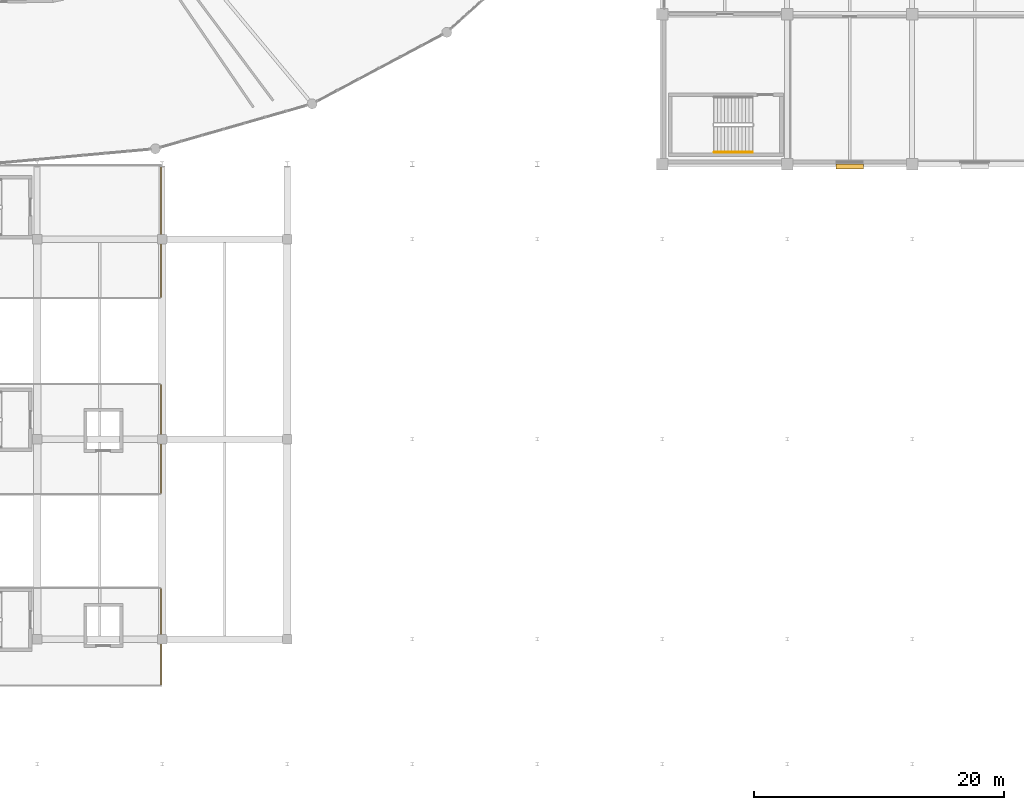
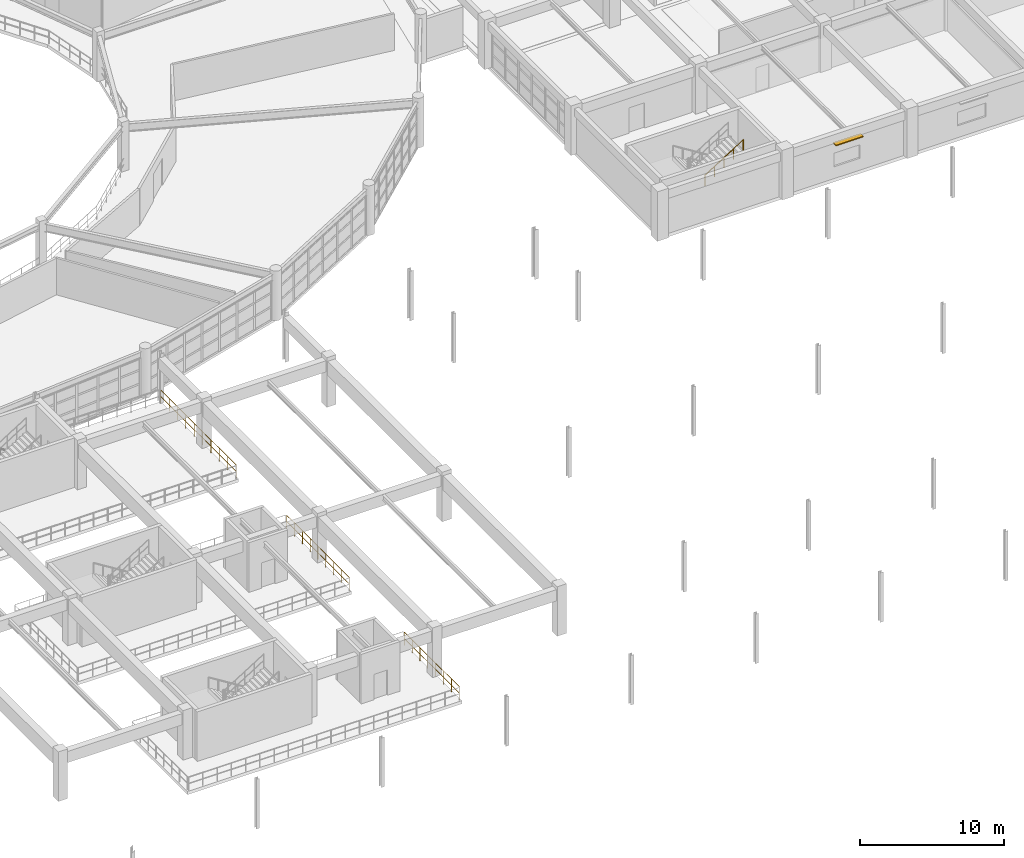
# One storey, part 89 of 100: 4 railings, 1 shading device.
"""IFC4 building model written with IfcOpenShell, lengths in metres."""

from ifc_helpers import new_model, si_unit, direction, frame, origin, origin_2d, place, context, subcontext, project, spatial, rectangle, circle, extrude, material, layer, layer_set, type_object, element, save


model = new_model("IFC4")

# Units and contexts
model_context = context("Model", 3, precision=1e-05, world=origin(), true_north=direction((0.0, 1.0)))
body_context = subcontext(model_context, "Body", "Model", "MODEL_VIEW")
ifc_project = project(units=[si_unit("LENGTHUNIT", "METRE"), si_unit("AREAUNIT", "SQUARE_METRE"), si_unit("VOLUMEUNIT", "CUBIC_METRE"), si_unit("PLANEANGLEUNIT", "RADIAN"), si_unit("MASSUNIT", "GRAM", prefix="KILO")], contexts=[model_context])

# Site, building, storey
site_placement = place(None, origin())
site = spatial("IfcSite", under=ifc_project, at=site_placement, CompositionType="ELEMENT")
building_placement = place(site_placement, origin())
building = spatial("IfcBuilding", under=site, at=building_placement, Name="Kivolera Central Railway Station", CompositionType="ELEMENT")
storey_placement = place(building_placement, frame((0.0, 0.0, 5.39990234375)))
storey = spatial("IfcBuildingStorey", under=building, at=storey_placement, Name="L01", CompositionType="ELEMENT", Elevation=5.39990234375)

# Shading device
ifc_material = material(Name="Anodised aluminium", Category="aluminium")
ifc_layer_1 = layer(ifc_material, 0.080078125, Name="Anodised aluminium")
ifc_layer_set_1 = layer_set([ifc_layer_1], Name="Anodised aluminium")
shading_device_type = type_object("IfcShadingDeviceType", Name="BS-LVR-B", PredefinedType="JALOUSIE", material=ifc_layer_set_1)
shading_device_placement = place(storey_placement, frame((133.0, 53.80810546875, 3.010009765625), z_axis=(0.0, 0.0, 1.0), x_axis=(1.0, 0.0, 0.0)))
element("IfcShadingDevice", 1, at=shading_device_placement, inside=storey, type_object=shading_device_type, Name="L01 South Monsoon Window Sun-Louvre 128", PredefinedType="JALOUSIE", context=body_context, shape_type="SweptSolid", body=[
    extrude(rectangle(XDim=2.199951171875, YDim=0.39990234375, at=origin_2d()), origin(), (0.0, 0.0, 1.0), 0.080078125),
])

# Railings
ifc_layer_2 = layer(ifc_material, 0.048095703125, Name="Anodised aluminium")
ifc_layer_set_2 = layer_set([ifc_layer_2], Name="Anodised aluminium")
railing_type_1 = type_object("IfcRailingType", Name="RL-EXT-GUARD-1130", PredefinedType="GUARDRAIL", material=ifc_layer_set_2)
railing_1_placement = place(storey_placement, frame((77.89990234375, 12.3798828125, 0.0)))
element("IfcRailing", 2, at=railing_1_placement, inside=storey, type_object=railing_type_1, Name="L01 Protective Edge Guardrail POD1-E", PredefinedType="GUARDRAIL", context=body_context, shape_type="SweptSolid", body=[
    extrude(circle(Radius=0.02392578125, at=origin_2d()), frame((0.0, 0.0, 1.10595703125), z_axis=(0.0, 1.0, 0.0), x_axis=(-1.0, 0.0, 0.0)), (0.0, 0.0, 1.0), 7.64013671875),
    extrude(circle(Radius=0.02392578125, at=origin_2d()), frame((0.0, 0.0, 0.56494140625), z_axis=(0.0, 1.0, 0.0), x_axis=(-1.0, 0.0, 0.0)), (0.0, 0.0, 1.0), 7.64013671875),
    extrude(circle(Radius=0.02099609375, at=origin_2d()), origin(), (0.0, 0.0, 1.0), 1.081787109375),
    extrude(circle(Radius=0.02099609375, at=origin_2d()), frame((0.0, 1.091552734375, 0.0)), (0.0, 0.0, 1.0), 1.081787109375),
    extrude(circle(Radius=0.02099609375, at=origin_2d()), frame((0.0, 2.182861328125, 0.0)), (0.0, 0.0, 1.0), 1.081787109375),
    extrude(circle(Radius=0.02099609375, at=origin_2d()), frame((0.0, 3.2744140625, 0.0)), (0.0, 0.0, 1.0), 1.081787109375),
    extrude(circle(Radius=0.02099609375, at=origin_2d()), frame((0.0, 4.36572265625, 0.0)), (0.0, 0.0, 1.0), 1.081787109375),
    extrude(circle(Radius=0.02099609375, at=origin_2d()), frame((0.0, 5.457275390625, 0.0)), (0.0, 0.0, 1.0), 1.081787109375),
    extrude(circle(Radius=0.02099609375, at=origin_2d()), frame((0.0, 6.548583984375, 0.0)), (0.0, 0.0, 1.0), 1.081787109375),
    extrude(circle(Radius=0.02099609375, at=origin_2d()), frame((0.0, 7.64013671875, 0.0)), (0.0, 0.0, 1.0), 1.081787109375),
])
railing_2_placement = place(storey_placement, frame((77.89990234375, 27.679931640625, 0.0)))
element("IfcRailing", 3, at=railing_2_placement, inside=storey, type_object=railing_type_1, Name="L01 Protective Edge Guardrail POD2-E", PredefinedType="GUARDRAIL", context=body_context, shape_type="SweptSolid", body=[
    extrude(circle(Radius=0.02392578125, at=origin_2d()), frame((0.0, 0.0, 1.10595703125), z_axis=(0.0, 1.0, 0.0), x_axis=(-1.0, 0.0, 0.0)), (0.0, 0.0, 1.0), 8.64013671875),
    extrude(circle(Radius=0.02392578125, at=origin_2d()), frame((0.0, 0.0, 0.56494140625), z_axis=(0.0, 1.0, 0.0), x_axis=(-1.0, 0.0, 0.0)), (0.0, 0.0, 1.0), 8.64013671875),
    extrude(circle(Radius=0.02099609375, at=origin_2d()), origin(), (0.0, 0.0, 1.0), 1.081787109375),
    extrude(circle(Radius=0.02099609375, at=origin_2d()), frame((0.0, 1.080078125, 0.0)), (0.0, 0.0, 1.0), 1.081787109375),
    extrude(circle(Radius=0.02099609375, at=origin_2d()), frame((0.0, 2.16015625, 0.0)), (0.0, 0.0, 1.0), 1.081787109375),
    extrude(circle(Radius=0.02099609375, at=origin_2d()), frame((0.0, 3.239990234375, 0.0)), (0.0, 0.0, 1.0), 1.081787109375),
    extrude(circle(Radius=0.02099609375, at=origin_2d()), frame((0.0, 4.320068359375, 0.0)), (0.0, 0.0, 1.0), 1.081787109375),
    extrude(circle(Radius=0.02099609375, at=origin_2d()), frame((0.0, 5.400146484375, 0.0)), (0.0, 0.0, 1.0), 1.081787109375),
    extrude(circle(Radius=0.02099609375, at=origin_2d()), frame((0.0, 6.47998046875, 0.0)), (0.0, 0.0, 1.0), 1.081787109375),
    extrude(circle(Radius=0.02099609375, at=origin_2d()), frame((0.0, 7.56005859375, 0.0)), (0.0, 0.0, 1.0), 1.081787109375),
    extrude(circle(Radius=0.02099609375, at=origin_2d()), frame((0.0, 8.64013671875, 0.0)), (0.0, 0.0, 1.0), 1.081787109375),
])
railing_3_placement = place(storey_placement, frame((77.89990234375, 43.3798828125, 0.0)))
element("IfcRailing", 4, at=railing_3_placement, inside=storey, type_object=railing_type_1, Name="L01 Protective Edge Guardrail POD3-E", PredefinedType="GUARDRAIL", context=body_context, shape_type="SweptSolid", body=[
    extrude(circle(Radius=0.02392578125, at=origin_2d()), frame((0.0, 0.0, 1.10595703125), z_axis=(0.0, 1.0, 0.0), x_axis=(-1.0, 0.0, 0.0)), (0.0, 0.0, 1.0), 10.440185546875),
    extrude(circle(Radius=0.02392578125, at=origin_2d()), frame((0.0, 0.0, 0.56494140625), z_axis=(0.0, 1.0, 0.0), x_axis=(-1.0, 0.0, 0.0)), (0.0, 0.0, 1.0), 10.440185546875),
    extrude(circle(Radius=0.02099609375, at=origin_2d()), origin(), (0.0, 0.0, 1.0), 1.081787109375),
    extrude(circle(Radius=0.02099609375, at=origin_2d()), frame((0.0, 1.159912109375, 0.0)), (0.0, 0.0, 1.0), 1.081787109375),
    extrude(circle(Radius=0.02099609375, at=origin_2d()), frame((0.0, 2.320068359375, 0.0)), (0.0, 0.0, 1.0), 1.081787109375),
    extrude(circle(Radius=0.02099609375, at=origin_2d()), frame((0.0, 3.47998046875, 0.0)), (0.0, 0.0, 1.0), 1.081787109375),
    extrude(circle(Radius=0.02099609375, at=origin_2d()), frame((0.0, 4.64013671875, 0.0)), (0.0, 0.0, 1.0), 1.081787109375),
    extrude(circle(Radius=0.02099609375, at=origin_2d()), frame((0.0, 5.800048828125, 0.0)), (0.0, 0.0, 1.0), 1.081787109375),
    extrude(circle(Radius=0.02099609375, at=origin_2d()), frame((0.0, 6.960205078125, 0.0)), (0.0, 0.0, 1.0), 1.081787109375),
    extrude(circle(Radius=0.02099609375, at=origin_2d()), frame((0.0, 8.1201171875, 0.0)), (0.0, 0.0, 1.0), 1.081787109375),
    extrude(circle(Radius=0.02099609375, at=origin_2d()), frame((0.0, 9.2802734375, 0.0)), (0.0, 0.0, 1.0), 1.081787109375),
    extrude(circle(Radius=0.02099609375, at=origin_2d()), frame((0.0, 10.440185546875, 0.0)), (0.0, 0.0, 1.0), 1.081787109375),
])
ifc_layer_3 = layer(ifc_material, 0.048095703125, Name="Anodised aluminium")
ifc_layer_set_3 = layer_set([ifc_layer_3], Name="Anodised aluminium")
railing_type_2 = type_object("IfcRailingType", Name="RL-STAIR-HAND", PredefinedType="HANDRAIL", material=ifc_layer_set_3)
railing_4_placement = place(storey_placement, frame((122.159912109375, 54.949951171875, 2.275146484375)))
element("IfcRailing", 5, at=railing_4_placement, inside=storey, type_object=railing_type_2, Name="L01 ST4 stair handrail 2", PredefinedType="HANDRAIL", context=body_context, shape_type="SweptSolid", body=[
    extrude(circle(Radius=0.02392578125, at=origin_2d()), frame((0.0, 0.0, 0.8759765625), z_axis=(0.847998304005, 0.0, 0.529998940003), x_axis=(0.0, 1.0, 0.0)), (0.0, 0.0, 1.0), 3.632080078125),
    extrude(circle(Radius=0.02099609375, at=origin_2d()), origin(), (0.0, 0.0, 1.0), 0.851806640625),
    extrude(circle(Radius=0.02099609375, at=origin_2d()), frame((0.77001953125, 0.0, 0.481201171875)), (0.0, 0.0, 1.0), 0.851806640625),
    extrude(circle(Radius=0.02099609375, at=origin_2d()), frame((1.5400390625, 0.0, 0.96240234375)), (0.0, 0.0, 1.0), 0.851806640625),
    extrude(circle(Radius=0.02099609375, at=origin_2d()), frame((2.31005859375, 0.0, 1.44384765625)), (0.0, 0.0, 1.0), 0.851806640625),
    extrude(circle(Radius=0.02099609375, at=origin_2d()), frame((3.080078125, 0.0, 1.925048828125)), (0.0, 0.0, 1.0), 0.851806640625),
])

save(model, "model.ifc")
